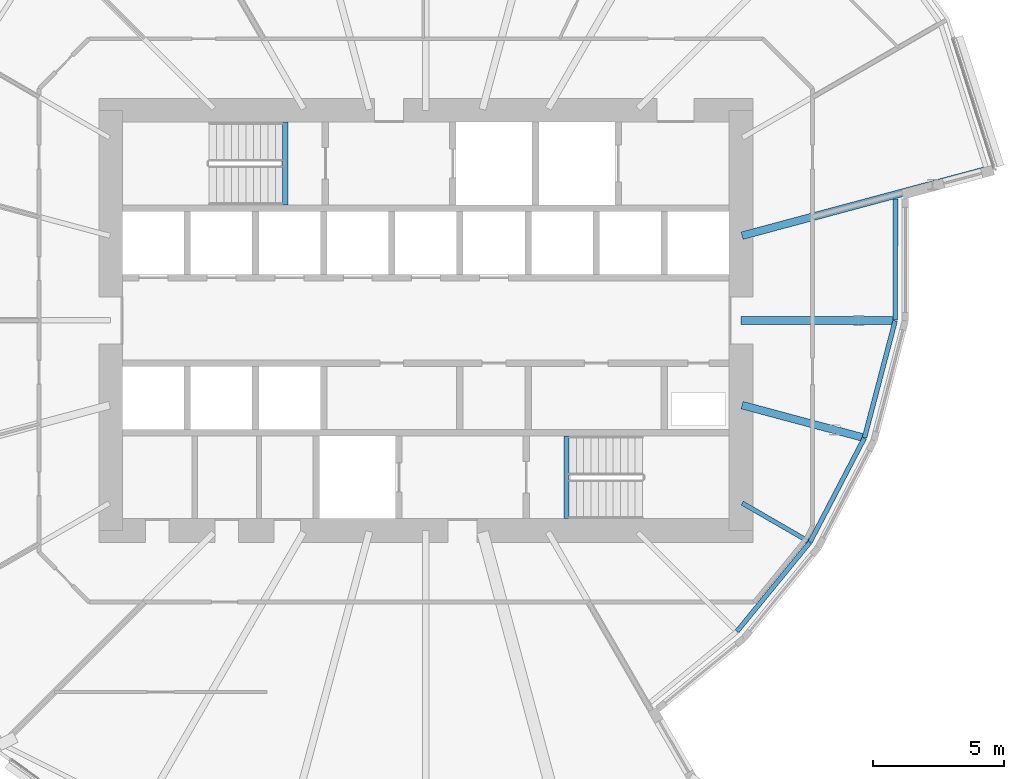
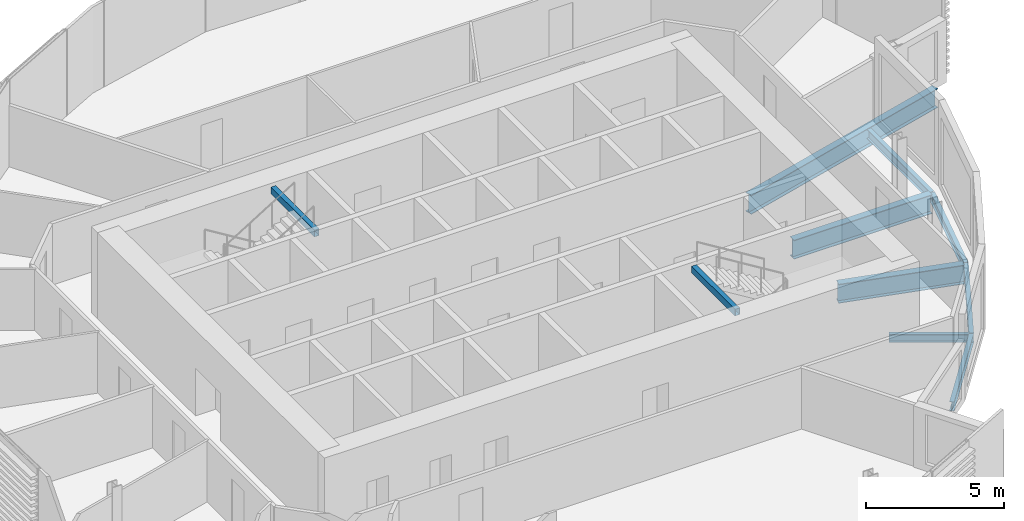
# One storey, part 15 of 38: 10 beams.
"""IFC4 building model written with IfcOpenShell, lengths in metres."""

from ifc_helpers import new_model, si_unit, direction, frame, origin, origin_2d, place, context, subcontext, project, spatial, hollow_rectangle, i_section, extrude, material, material_profile, profile_set, type_object, element, save


model = new_model("IFC4")

# Units and contexts
model_context = context("Model", 3, precision=1e-05, world=origin(), true_north=direction((0.0, 1.0)))
body_context = subcontext(model_context, "Body", "Model", "MODEL_VIEW")
ifc_project = project(units=[si_unit("LENGTHUNIT", "METRE"), si_unit("AREAUNIT", "SQUARE_METRE"), si_unit("VOLUMEUNIT", "CUBIC_METRE"), si_unit("PLANEANGLEUNIT", "RADIAN"), si_unit("MASSUNIT", "GRAM", prefix="KILO")], contexts=[model_context])

# Site, building, storey
site_placement = place(None, origin())
site = spatial("IfcSite", under=ifc_project, at=site_placement, CompositionType="ELEMENT")
building_placement = place(site_placement, origin())
building = spatial("IfcBuilding", under=site, at=building_placement, Name="Rimbun Link Towers", CompositionType="ELEMENT")
storey_placement = place(building_placement, frame((0.0, 0.0, 56.60009765625)))
storey = spatial("IfcBuildingStorey", under=building, at=storey_placement, Name="L13", CompositionType="ELEMENT", Elevation=56.60009765625)

# Beams
ifc_material_1 = material(Name="Steel S355J2", Category="steel")
ifc_material_profile_1 = material_profile(ifc_material_1, hollow_rectangle(XDim=0.199951171875, YDim=0.300048828125, WallThickness=0.011962890625, at=origin_2d()), Name="BOX 300x200x12")
ifc_profile_set_1 = profile_set([ifc_material_profile_1], Name="Steel S355J2")
beam_type_1 = type_object("IfcBeamType", Name="Stair trimmer beam BOX 300x200x12", PredefinedType="BEAM", material=ifc_profile_set_1)
for number, where, z_axis, x_axis, name in (
    (1, (26.39990234375, 7.550048828125, 3.489990234375), (0.0, -1.0, 0.0), (1.0, 0.0, 0.0), "L13 ST3 stair beam 1"),
    (2, (37.10009765625, -7.550048828125, 3.489990234375), (0.0, 1.0, 0.0), (-1.0, 0.0, 0.0), "L13 ST4 stair beam 1"),
):
    element("IfcBeam", number, at=place(storey_placement, frame(where, z_axis=z_axis, x_axis=x_axis)), inside=storey, type_object=beam_type_1, Name=name, PredefinedType="BEAM", context=body_context, shape_type="SweptSolid", body=[
        extrude(hollow_rectangle(XDim=0.199951171875, YDim=0.300048828125, WallThickness=0.011962890625, at=origin_2d()), origin(), (0.0, 0.0, 1.0), 3.150146484375),
    ])
ifc_material_2 = material(Name="Steel S355J2", Category="steel")
ifc_material_profile_2 = material_profile(ifc_material_2, i_section(OverallWidth=0.17138671875, OverallDepth=0.35498046875, WebThickness=0.00732421875, FlangeThickness=0.011474609375, at=origin_2d()), Name="UB 356x171x51")
ifc_profile_set_2 = profile_set([ifc_material_profile_2], Name="Steel S355J2")
beam_type_2 = type_object("IfcBeamType", Name="UB 356x171x51", PredefinedType="BEAM", material=ifc_profile_set_2)
beam_1_placement = place(storey_placement, frame((43.793701171875, -6.95361328125, -0.337646484375), z_axis=(0.866061796884, -0.499936960004, 0.0), x_axis=(0.499936960004, 0.866061796884, 0.0)))
element("IfcBeam", 3, at=beam_1_placement, inside=storey, type_object=beam_type_2, Name="Radial beam T2 L13 19", PredefinedType="BEAM", context=body_context, shape_type="SweptSolid", body=[
    extrude(i_section(OverallWidth=0.17138671875, OverallDepth=0.35498046875, WebThickness=0.00732421875, FlangeThickness=0.011474609375, at=origin_2d()), origin(), (0.0, 0.0, 1.0), 2.889892578125),
])
ifc_material_3 = material(Name="Steel S355J2", Category="steel")
ifc_material_profile_3 = material_profile(ifc_material_3, i_section(OverallWidth=0.177978515625, OverallDepth=0.406494140625, WebThickness=0.0078125, FlangeThickness=0.0126953125, at=origin_2d()), Name="UB 406x178x60")
ifc_profile_set_3 = profile_set([ifc_material_profile_3], Name="Steel S355J2")
beam_type_3 = type_object("IfcBeamType", Name="UB 406x178x60", PredefinedType="BEAM", material=ifc_profile_set_3)
beam_2_placement = place(storey_placement, frame((43.598876953125, -11.8349609375, -0.36328125), z_axis=(0.633365489333, 0.773852800552, 0.0), x_axis=(-0.773852800552, 0.633365489333, 0.0)))
element("IfcBeam", 4, at=beam_2_placement, inside=storey, type_object=beam_type_3, Name="Edge beam T2 L13 18 recess", PredefinedType="BEAM", context=body_context, shape_type="SweptSolid", body=[
    extrude(i_section(OverallWidth=0.177978515625, OverallDepth=0.406494140625, WebThickness=0.0078125, FlangeThickness=0.0126953125, at=origin_2d()), origin(), (0.0, 0.0, 1.0), 4.372314453125),
])
beam_3_placement = place(storey_placement, frame((46.37939453125, -8.4345703125, -0.36328125), z_axis=(0.462768178353, 0.886479335971, 0.0), x_axis=(-0.886479335971, 0.462768178353, 0.0)))
element("IfcBeam", 5, at=beam_3_placement, inside=storey, type_object=beam_type_3, Name="Edge beam T2 L13 19 recess", PredefinedType="BEAM", context=body_context, shape_type="SweptSolid", body=[
    extrude(i_section(OverallWidth=0.177978515625, OverallDepth=0.406494140625, WebThickness=0.0078125, FlangeThickness=0.0126953125, at=origin_2d()), origin(), (0.0, 0.0, 1.0), 4.456787109375),
])
for number, where, z_axis, x_axis, name in (
    (6, (48.44970703125, -4.46337890625, -0.36328125), (0.254038941627, 0.967193990954, 0.0), (-0.967193990954, 0.254038941627, 0.0), "Edge beam T2 L13 20 recess"),
    (7, (49.621826171875, 0.012451171875, -0.36328125), (0.00190970953, 0.999998176503, 0.0), (-0.999998176503, 0.00190970953, 0.0), "Edge beam T2 L13 21 recess"),
):
    element("IfcBeam", number, at=place(storey_placement, frame(where, z_axis=z_axis, x_axis=x_axis)), inside=storey, type_object=beam_type_3, Name=name, PredefinedType="BEAM", context=body_context, shape_type="SweptSolid", body=[
        extrude(i_section(OverallWidth=0.177978515625, OverallDepth=0.406494140625, WebThickness=0.0078125, FlangeThickness=0.0126953125, at=origin_2d()), origin(), (0.0, 0.0, 1.0), 4.602294921875),
    ])
ifc_material_4 = material(Name="Steel S355J2", Category="steel")
ifc_material_profile_4 = material_profile(ifc_material_4, i_section(OverallWidth=0.29248046875, OverallDepth=0.8408203125, WebThickness=0.0126953125, FlangeThickness=0.021728515625, at=origin_2d()), Name="UB 838x292x194")
ifc_profile_set_4 = profile_set([ifc_material_profile_4], Name="Steel S355J2")
beam_type_4 = type_object("IfcBeamType", Name="UB 838x292x194", PredefinedType="BEAM", material=ifc_profile_set_4)
beam_4_placement = place(storey_placement, frame((43.788818359375, -3.225830078125, -0.580322265625), z_axis=(0.965932852714, -0.258792820704, 0.0), x_axis=(0.258792820704, 0.965932852714, 0.0)))
element("IfcBeam", 8, at=beam_4_placement, inside=storey, type_object=beam_type_4, Name="Radial beam T2 L13 20", PredefinedType="BEAM", context=body_context, shape_type="SweptSolid", body=[
    extrude(i_section(OverallWidth=0.29248046875, OverallDepth=0.8408203125, WebThickness=0.0126953125, FlangeThickness=0.021728515625, at=origin_2d()), origin(), (0.0, 0.0, 1.0), 4.73193359375),
])
beam_5_placement = place(storey_placement, frame((43.7509765625, 0.0, -0.580322265625), z_axis=(1.0, 0.0, 0.0), x_axis=(0.0, 1.0, 0.0)))
element("IfcBeam", 9, at=beam_5_placement, inside=storey, type_object=beam_type_4, Name="Radial beam T2 L13 21", PredefinedType="BEAM", context=body_context, shape_type="SweptSolid", body=[
    extrude(i_section(OverallWidth=0.29248046875, OverallDepth=0.8408203125, WebThickness=0.0126953125, FlangeThickness=0.021728515625, at=origin_2d()), origin(), (0.0, 0.0, 1.0), 5.7802734375),
])
beam_6_placement = place(storey_placement, frame((43.788818359375, 3.225830078125, -0.580322265625), z_axis=(0.965928216399, 0.258810124927, 0.0), x_axis=(-0.258810124927, 0.965928216399, 0.0)))
element("IfcBeam", 10, at=beam_6_placement, inside=storey, type_object=beam_type_4, Name="Radial beam T2 L13 22", PredefinedType="BEAM", context=body_context, shape_type="SweptSolid", body=[
    extrude(i_section(OverallWidth=0.29248046875, OverallDepth=0.8408203125, WebThickness=0.0126953125, FlangeThickness=0.021728515625, at=origin_2d()), origin(), (0.0, 0.0, 1.0), 9.5595703125),
])

save(model, "model.ifc")
